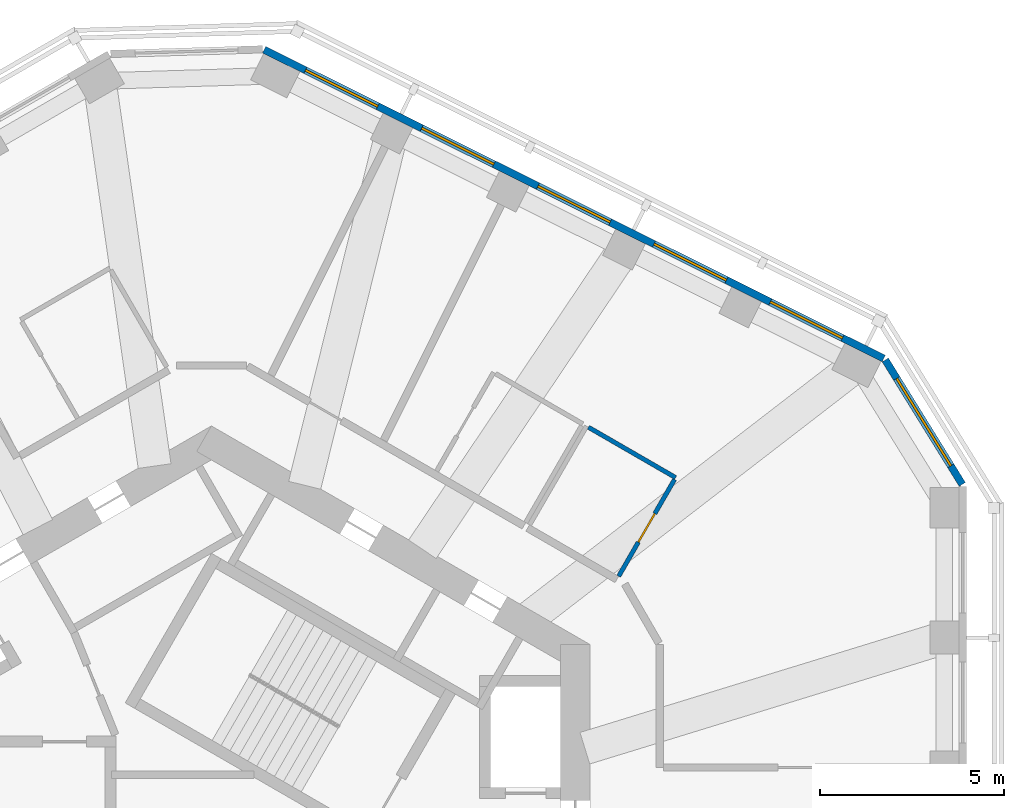
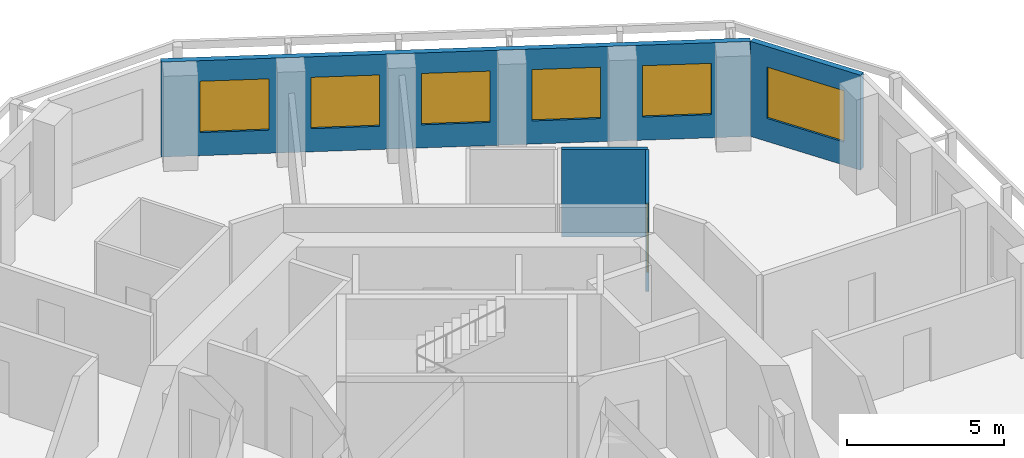
# One storey, part 8 of 11: 6 windows, 4 walls, 1 door, 7 openings.
"""IFC4 building model written with IfcOpenShell, lengths in metres."""

from ifc_helpers import new_model, si_unit, direction, frame, frame_2d, origin, place, context, subcontext, project, spatial, rectangle, extrude, material, layer, layer_set, type_object, element, fill, save


model = new_model("IFC4")

# Units and contexts
model_context = context("Model", 3, precision=1e-05, world=origin(), true_north=direction((0.0, 1.0)))
body_context = subcontext(model_context, "Body", "Model", "MODEL_VIEW")
ifc_project = project(units=[si_unit("LENGTHUNIT", "METRE"), si_unit("AREAUNIT", "SQUARE_METRE"), si_unit("VOLUMEUNIT", "CUBIC_METRE"), si_unit("PLANEANGLEUNIT", "RADIAN"), si_unit("MASSUNIT", "GRAM", prefix="KILO")], contexts=[model_context])

# Site, building, storey
site_placement = place(None, origin())
site = spatial("IfcSite", under=ifc_project, at=site_placement, CompositionType="ELEMENT")
building_placement = place(site_placement, origin())
building = spatial("IfcBuilding", under=site, at=building_placement, Name="Vanh Sen Convention Tower", CompositionType="ELEMENT")
storey_placement = place(building_placement, frame((0.0, 0.0, 236.5)))
storey = spatial("IfcBuildingStorey", under=building, at=storey_placement, Name="L58", CompositionType="ELEMENT", Elevation=236.5)

# Wall
ifc_material_1 = material(Name="Moisture-resistant gypsum board on steel studs", Category="steel")
ifc_layer_1 = layer(ifc_material_1, 0.1201171875)
ifc_layer_set_1 = layer_set([ifc_layer_1], Name="Moisture-resistant gypsum board on steel studs")
wall_type_1 = type_object("IfcWallType", Name="Bathroom partition 120", PredefinedType="PARTITIONING", material=ifc_layer_set_1)
wall_1_placement = place(storey_placement, frame((10.260498046875, 11.8583984375, 0.0), z_axis=(0.0, 0.0, 1.0), x_axis=(0.866019409031, -0.500010383074, 0.0)))
element("IfcWall", 1, at=wall_1_placement, inside=storey, type_object=wall_type_1, Name="Bathroom partition 120", PredefinedType="PARTITIONING", context=body_context, shape_type="SweptSolid", body=[
    extrude(rectangle(XDim=2.740234375, YDim=0.1201171875, at=frame_2d((1.3701171875, 0.0))), origin(), (0.0, 0.0, 1.0), 3.419921875),
])

# Wall, opening, door
wall_2_placement = place(storey_placement, frame((12.603515625, 10.436279296875, 0.0), z_axis=(0.0, 0.0, 1.0), x_axis=(-0.500026023896, -0.86601037836, 0.0)))
wall_2 = element("IfcWall", 2, at=wall_2_placement, inside=storey, type_object=wall_type_1, Name="Bathroom partition 120", PredefinedType="PARTITIONING", context=body_context, shape_type="SweptSolid", body=[
    extrude(rectangle(XDim=3.039794921875, YDim=0.1201171875, at=frame_2d((1.52001953125, 0.0))), origin(), (0.0, 0.0, 1.0), 3.419921875),
])
opening_1_placement = place(wall_2_placement, frame((1.070068359375, 0.0, 0.0)))
opening_1 = element("IfcOpeningElement", 3, at=opening_1_placement, cuts=wall_2, Name="Opening D56102", PredefinedType="OPENING", context=body_context, shape_type="SweptSolid", body=[
    extrude(rectangle(XDim=0.89990234375, YDim=2.10009765625, at=frame_2d((0.449951171875, 1.050048828125))), frame((0.0, 0.070068359375, 0.0), z_axis=(0.0, -1.0, 0.0), x_axis=(1.0, 0.0, 0.0)), (0.0, 0.0, 1.0), 0.14013671875),
])
ifc_material_2 = material(Name="Laminate door in steel frame", Category="steel")
door_type = type_object("IfcDoorType", Name="Room internal door 900", OperationType="SINGLE_SWING_LEFT", PredefinedType="DOOR", material=ifc_material_2)
door_placement = place(opening_1_placement, origin())
door = element("IfcDoor", 4, at=door_placement, inside=storey, type_object=door_type, Name="Internal room door D56102", OperationType="SINGLE_SWING_LEFT", OverallHeight=2.10009765625, OverallWidth=0.89990234375, PredefinedType="DOOR", context=body_context, shape_type="SweptSolid", body=[
    extrude(rectangle(XDim=0.89990234375, YDim=2.10009765625, at=frame_2d((0.449951171875, 1.050048828125))), frame((0.0, 0.02490234375, 0.0), z_axis=(0.0, -1.0, 0.0), x_axis=(1.0, 0.0, 0.0)), (0.0, 0.0, 1.0), 0.050048828125),
])
fill(opening_1, door)

# Wall, opening, window
ifc_material_3 = material(Name="Insulated lightweight infill wall")
ifc_layer_2 = layer(ifc_material_3, 0.199951171875)
ifc_layer_set_2 = layer_set([ifc_layer_2], Name="Insulated lightweight infill wall")
wall_type_2 = type_object("IfcWallType", Name="External wall 200", PredefinedType="STANDARD", material=ifc_layer_set_2)
wall_3_placement = place(storey_placement, frame((20.43505859375, 10.3037109375, 0.0), z_axis=(0.0, 0.0, 1.0), x_axis=(-0.526202661606, 0.850359194058, 0.0)))
wall_3 = element("IfcWall", 5, at=wall_3_placement, inside=storey, type_object=wall_type_2, Name="External wall CH1 L58", PredefinedType="STANDARD", context=body_context, shape_type="SweptSolid", body=[
    extrude(rectangle(XDim=3.982666015625, YDim=0.199951171875, at=frame_2d((1.9912109375, 0.0))), origin(), (0.0, 0.0, 1.0), 3.699951171875),
])
opening_2_placement = place(wall_3_placement, frame((0.59130859375, 0.0, 0.89990234375)))
opening_2 = element("IfcOpeningElement", 6, at=opening_2_placement, cuts=wall_3, Name="Opening WO4-CH11", PredefinedType="OPENING", context=body_context, shape_type="SweptSolid", body=[
    extrude(rectangle(XDim=2.800048828125, YDim=2.0, at=frame_2d((1.39990234375, 1.0))), frame((0.0, 0.10986328125, 0.0), z_axis=(0.0, -1.0, 0.0), x_axis=(1.0, 0.0, 0.0)), (0.0, 0.0, 1.0), 0.219970703125),
])
ifc_material_4 = material(Name="Aluminium frame with clear low-emissivity glass", Category="aluminium")
window_type_1 = type_object("IfcWindowType", Name="Office window 2800 x 2000", PartitioningType="SINGLE_PANEL", PredefinedType="WINDOW", material=ifc_material_4)
window_1_placement = place(opening_2_placement, origin())
window_1 = element("IfcWindow", 7, at=window_1_placement, inside=storey, type_object=window_type_1, Name="Window WO4-CH11", OverallHeight=2.0, OverallWidth=2.800048828125, PartitioningType="SINGLE_PANEL", PredefinedType="WINDOW", context=body_context, shape_type="SweptSolid", body=[
    extrude(rectangle(XDim=2.800048828125, YDim=2.0, at=frame_2d((1.39990234375, 1.0))), frame((0.0, 0.030029296875, 0.0), z_axis=(0.0, -1.0, 0.0), x_axis=(1.0, 0.0, 0.0)), (0.0, 0.0, 1.0), 0.06005859375),
])
fill(opening_2, window_1)

# Wall, openings, windows
wall_4_placement = place(storey_placement, frame((18.298828125, 13.727294921875, 0.0), z_axis=(0.0, 0.0, 1.0), x_axis=(-0.894934554817, 0.44619742558, 0.0)))
wall_4 = element("IfcWall", 8, at=wall_4_placement, inside=storey, type_object=wall_type_2, Name="External wall NE L58", PredefinedType="STANDARD", context=body_context, shape_type="SweptSolid", body=[
    extrude(rectangle(XDim=18.84130859375, YDim=0.199951171875, at=frame_2d((9.420654296875, 0.0))), origin(), (0.0, 0.0, 1.0), 3.699951171875),
])
opening_3_placement = place(wall_4_placement, frame((1.252685546875, 0.0, 0.89990234375)))
opening_3 = element("IfcOpeningElement", 9, at=opening_3_placement, cuts=wall_4, Name="Opening WO3-NE1", PredefinedType="OPENING", context=body_context, shape_type="SweptSolid", body=[
    extrude(rectangle(XDim=2.199951171875, YDim=2.0, at=frame_2d((1.10009765625, 1.0))), frame((0.0, 0.10986328125, 0.0), z_axis=(0.0, -1.0, 0.0), x_axis=(1.0, 0.0, 0.0)), (0.0, 0.0, 1.0), 0.219970703125),
])
opening_4_placement = place(wall_4_placement, frame((4.7861328125, 0.0, 0.89990234375)))
opening_4 = element("IfcOpeningElement", 10, at=opening_4_placement, cuts=wall_4, Name="Opening WO3-NE2", PredefinedType="OPENING", context=body_context, shape_type="SweptSolid", body=[
    extrude(rectangle(XDim=2.199951171875, YDim=2.0, at=frame_2d((1.10009765625, 1.0))), frame((0.0, 0.10986328125, 0.0), z_axis=(0.0, -1.0, 0.0), x_axis=(1.0, 0.0, 0.0)), (0.0, 0.0, 1.0), 0.219970703125),
])
opening_5_placement = place(wall_4_placement, frame((8.31982421875, 0.0, 0.89990234375)))
opening_5 = element("IfcOpeningElement", 11, at=opening_5_placement, cuts=wall_4, Name="Opening WO3-NE3", PredefinedType="OPENING", context=body_context, shape_type="SweptSolid", body=[
    extrude(rectangle(XDim=2.199951171875, YDim=2.0, at=frame_2d((1.10009765625, 1.0))), frame((0.0, 0.10986328125, 0.0), z_axis=(0.0, -1.0, 0.0), x_axis=(1.0, 0.0, 0.0)), (0.0, 0.0, 1.0), 0.219970703125),
])
opening_6_placement = place(wall_4_placement, frame((11.853515625, 0.0, 0.89990234375)))
opening_6 = element("IfcOpeningElement", 12, at=opening_6_placement, cuts=wall_4, Name="Opening WO3-NE4", PredefinedType="OPENING", context=body_context, shape_type="SweptSolid", body=[
    extrude(rectangle(XDim=2.199951171875, YDim=2.0, at=frame_2d((1.10009765625, 1.0))), frame((0.0, 0.10986328125, 0.0), z_axis=(0.0, -1.0, 0.0), x_axis=(1.0, 0.0, 0.0)), (0.0, 0.0, 1.0), 0.219970703125),
])
opening_7_placement = place(wall_4_placement, frame((15.38720703125, 0.0, 0.89990234375)))
opening_7 = element("IfcOpeningElement", 13, at=opening_7_placement, cuts=wall_4, Name="Opening WO3-NE5", PredefinedType="OPENING", context=body_context, shape_type="SweptSolid", body=[
    extrude(rectangle(XDim=2.199951171875, YDim=2.0, at=frame_2d((1.10009765625, 1.0))), frame((0.0, 0.10986328125, 0.0), z_axis=(0.0, -1.0, 0.0), x_axis=(1.0, 0.0, 0.0)), (0.0, 0.0, 1.0), 0.219970703125),
])
window_type_2 = type_object("IfcWindowType", Name="Office window 2200 x 2000", PartitioningType="SINGLE_PANEL", PredefinedType="WINDOW", material=ifc_material_4)
window_2_placement = place(opening_3_placement, origin())
window_2 = element("IfcWindow", 14, at=window_2_placement, inside=storey, type_object=window_type_2, Name="Window WO3-NE1", OverallHeight=2.0, OverallWidth=2.199951171875, PartitioningType="SINGLE_PANEL", PredefinedType="WINDOW", context=body_context, shape_type="SweptSolid", body=[
    extrude(rectangle(XDim=2.199951171875, YDim=2.0, at=frame_2d((1.10009765625, 1.0))), frame((0.0, 0.030029296875, 0.0), z_axis=(0.0, -1.0, 0.0), x_axis=(1.0, 0.0, 0.0)), (0.0, 0.0, 1.0), 0.06005859375),
])
fill(opening_3, window_2)
window_3_placement = place(opening_4_placement, origin())
window_3 = element("IfcWindow", 15, at=window_3_placement, inside=storey, type_object=window_type_2, Name="Window WO3-NE2", OverallHeight=2.0, OverallWidth=2.199951171875, PartitioningType="SINGLE_PANEL", PredefinedType="WINDOW", context=body_context, shape_type="SweptSolid", body=[
    extrude(rectangle(XDim=2.199951171875, YDim=2.0, at=frame_2d((1.10009765625, 1.0))), frame((0.0, 0.030029296875, 0.0), z_axis=(0.0, -1.0, 0.0), x_axis=(1.0, 0.0, 0.0)), (0.0, 0.0, 1.0), 0.06005859375),
])
fill(opening_4, window_3)
window_4_placement = place(opening_5_placement, origin())
window_4 = element("IfcWindow", 16, at=window_4_placement, inside=storey, type_object=window_type_2, Name="Window WO3-NE3", OverallHeight=2.0, OverallWidth=2.199951171875, PartitioningType="SINGLE_PANEL", PredefinedType="WINDOW", context=body_context, shape_type="SweptSolid", body=[
    extrude(rectangle(XDim=2.199951171875, YDim=2.0, at=frame_2d((1.10009765625, 1.0))), frame((0.0, 0.030029296875, 0.0), z_axis=(0.0, -1.0, 0.0), x_axis=(1.0, 0.0, 0.0)), (0.0, 0.0, 1.0), 0.06005859375),
])
fill(opening_5, window_4)
window_5_placement = place(opening_6_placement, origin())
window_5 = element("IfcWindow", 17, at=window_5_placement, inside=storey, type_object=window_type_2, Name="Window WO3-NE4", OverallHeight=2.0, OverallWidth=2.199951171875, PartitioningType="SINGLE_PANEL", PredefinedType="WINDOW", context=body_context, shape_type="SweptSolid", body=[
    extrude(rectangle(XDim=2.199951171875, YDim=2.0, at=frame_2d((1.10009765625, 1.0))), frame((0.0, 0.030029296875, 0.0), z_axis=(0.0, -1.0, 0.0), x_axis=(1.0, 0.0, 0.0)), (0.0, 0.0, 1.0), 0.06005859375),
])
fill(opening_6, window_5)
window_6_placement = place(opening_7_placement, origin())
window_6 = element("IfcWindow", 18, at=window_6_placement, inside=storey, type_object=window_type_2, Name="Window WO3-NE5", OverallHeight=2.0, OverallWidth=2.199951171875, PartitioningType="SINGLE_PANEL", PredefinedType="WINDOW", context=body_context, shape_type="SweptSolid", body=[
    extrude(rectangle(XDim=2.199951171875, YDim=2.0, at=frame_2d((1.10009765625, 1.0))), frame((0.0, 0.030029296875, 0.0), z_axis=(0.0, -1.0, 0.0), x_axis=(1.0, 0.0, 0.0)), (0.0, 0.0, 1.0), 0.06005859375),
])
fill(opening_7, window_6)

save(model, "model.ifc")
